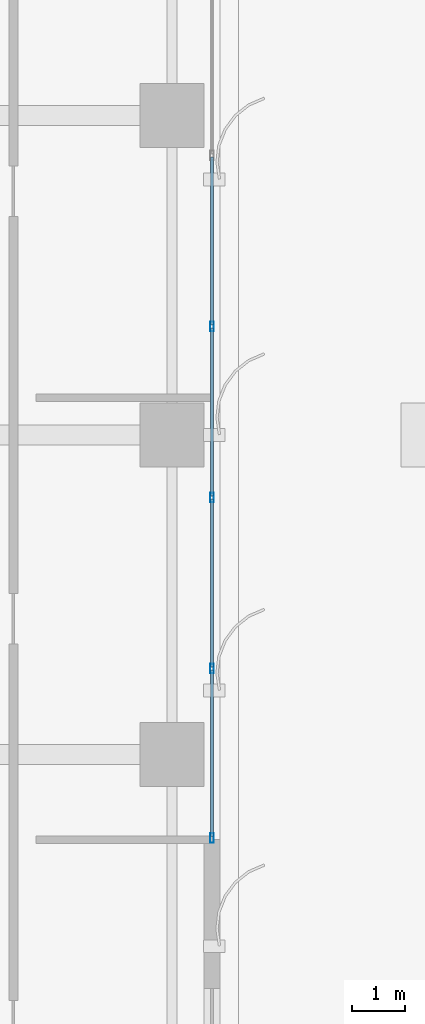
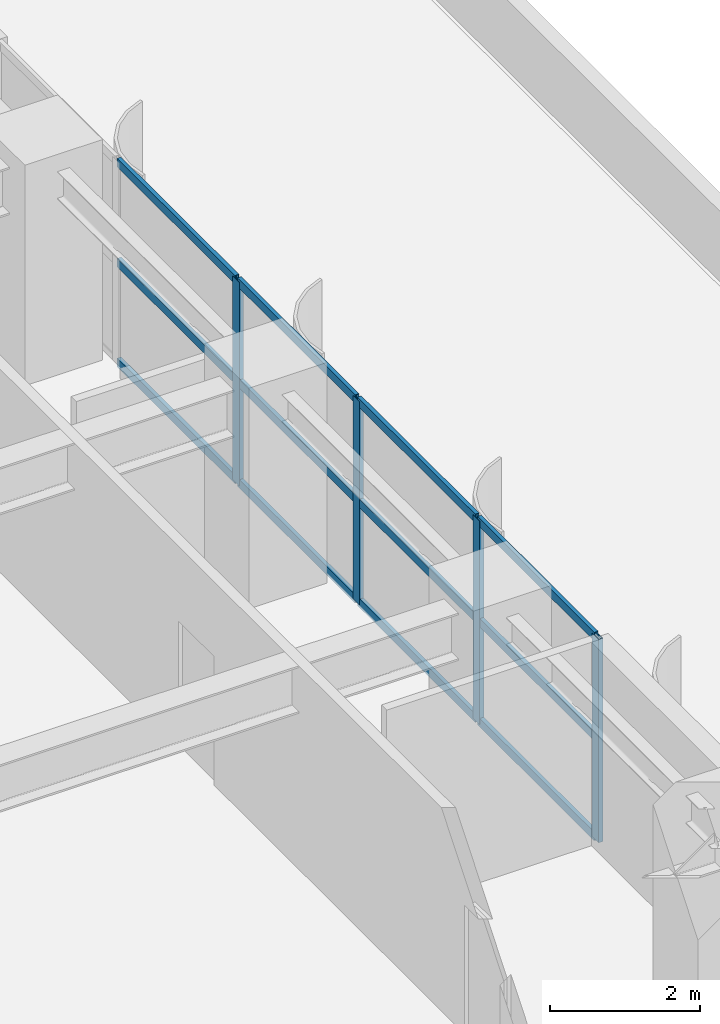
# One storey, part 4 of 21: 16 members, 1 element without a shape of its own.
"""IFC4 building model written with IfcOpenShell, lengths in metres."""

from ifc_helpers import new_model, si_unit, direction, frame, origin, origin_2d, place, context, subcontext, project, spatial, hollow_rectangle, extrude, source, transform, mapped, material, layer, layer_set, material_profile, profile_set, type_object, element, aggregate, save


model = new_model("IFC4")

# Units and contexts
model_context = context("Model", 3, precision=1e-05, world=origin(), true_north=direction((0.0, 1.0)))
body_context = subcontext(model_context, "Body", "Model", "MODEL_VIEW")
ifc_project = project(units=[si_unit("LENGTHUNIT", "METRE"), si_unit("AREAUNIT", "SQUARE_METRE"), si_unit("VOLUMEUNIT", "CUBIC_METRE"), si_unit("PLANEANGLEUNIT", "RADIAN"), si_unit("MASSUNIT", "GRAM", prefix="KILO")], contexts=[model_context])

# Site, building, storey
site_placement = place(None, origin())
site = spatial("IfcSite", under=ifc_project, at=site_placement, CompositionType="ELEMENT")
building_placement = place(site_placement, origin())
building = spatial("IfcBuilding", under=site, at=building_placement, Name="Khoralis Quay Care Tower", CompositionType="ELEMENT")
storey_placement = place(building_placement, frame((0.0, 0.0, 22.5)))
storey = spatial("IfcBuildingStorey", under=building, at=storey_placement, Name="L05", CompositionType="ELEMENT", Elevation=22.5)

# Curtain wall, members
ifc_material = material(Name="Pale anodised aluminium", Category="aluminium")
ifc_layer = layer(ifc_material, 0.179931640625)
ifc_layer_set = layer_set([ifc_layer], Name="Pale anodised aluminium")
curtain_wall_type = type_object("IfcCurtainWallType", Name="CW-SYS-Z1", PredefinedType="NOTDEFINED", material=ifc_layer_set)
curtain_wall_placement = place(storey_placement, origin())
curtain_wall = element("IfcCurtainWall", 1, at=curtain_wall_placement, inside=storey, type_object=curtain_wall_type, Name="L05 Unitised Curtain Wall CW-L05-P1-E5", PredefinedType="NOTDEFINED")
ifc_material_profile_1 = material_profile(ifc_material, hollow_rectangle(XDim=0.06494140625, YDim=0.179931640625, WallThickness=0.00390625, at=origin_2d()), Name="Pale anodised aluminium")
ifc_profile_set_1 = profile_set([ifc_material_profile_1], Name="Pale anodised aluminium")
member_type_1 = type_object("IfcMemberType", Name="CW-MUL-180", PredefinedType="MULLION", material=ifc_profile_set_1)
shared_shape_1 = source(origin(), body_context, "Body", "SweptSolid", [
    extrude(hollow_rectangle(XDim=0.06494140625, YDim=0.179931640625, WallThickness=0.00390625, at=origin_2d()), origin(), (0.0, 0.0, 1.0), 3.320068359375),
])
member_1_placement = place(storey_placement, frame((47.85009765625, 16.429931640625, 0.0), z_axis=(0.0, 0.0, 1.0), x_axis=(-1.0, 0.0, 0.0)))
member_1 = element("IfcMember", 2, at=member_1_placement, type_object=member_type_1, Name="CW1 mullion 1", PredefinedType="MULLION", context=body_context, shape_type="MappedRepresentation", body=[
    mapped(shared_shape_1, transform((0.0, 0.0, 0.0), scale=1.0)),
])
member_2_placement = place(storey_placement, frame((47.85009765625, 19.612060546875, 0.0), z_axis=(0.0, 0.0, 1.0), x_axis=(-1.0, 0.0, 0.0)))
member_2 = element("IfcMember", 3, at=member_2_placement, type_object=member_type_1, Name="CW1 mullion 2", PredefinedType="MULLION", context=body_context, shape_type="MappedRepresentation", body=[
    mapped(shared_shape_1, transform((0.0, 0.0, 0.0), scale=1.0)),
])
member_3_placement = place(storey_placement, frame((47.85009765625, 22.823974609375, 0.0), z_axis=(0.0, 0.0, 1.0), x_axis=(-1.0, 0.0, 0.0)))
member_3 = element("IfcMember", 4, at=member_3_placement, type_object=member_type_1, Name="CW1 mullion 3", PredefinedType="MULLION", context=body_context, shape_type="MappedRepresentation", body=[
    mapped(shared_shape_1, transform((0.0, 0.0, 0.0), scale=1.0)),
])
member_4_placement = place(storey_placement, frame((47.85009765625, 26.035888671875, 0.0), z_axis=(0.0, 0.0, 1.0), x_axis=(-1.0, 0.0, 0.0)))
member_4 = element("IfcMember", 5, at=member_4_placement, type_object=member_type_1, Name="CW1 mullion 4", PredefinedType="MULLION", context=body_context, shape_type="MappedRepresentation", body=[
    mapped(shared_shape_1, transform((0.0, 0.0, 0.0), scale=1.0)),
])
ifc_material_profile_2 = material_profile(ifc_material, hollow_rectangle(XDim=0.06005859375, YDim=0.139892578125, WallThickness=0.00390625, at=origin_2d()), Name="Pale anodised aluminium")
ifc_profile_set_2 = profile_set([ifc_material_profile_2], Name="Pale anodised aluminium")
member_type_2 = type_object("IfcMemberType", Name="CW-TRN-140", PredefinedType="USERDEFINED", material=ifc_profile_set_2)
shared_shape_2 = source(origin(), body_context, "Body", "SweptSolid", [
    extrude(hollow_rectangle(XDim=0.06005859375, YDim=0.139892578125, WallThickness=0.00390625, at=origin_2d()), origin(), (0.0, 0.0, 1.0), 3.1220703125),
])
member_5_placement = place(storey_placement, frame((47.85009765625, 16.4599609375, 0.030029296875), z_axis=(0.0, 1.0, 0.0), x_axis=(-1.0, 0.0, 0.0)))
member_5 = element("IfcMember", 6, at=member_5_placement, type_object=member_type_2, Name="CW1 transom 1.1", ObjectType="TRANSOM", PredefinedType="USERDEFINED", context=body_context, shape_type="MappedRepresentation", body=[
    mapped(shared_shape_2, transform((0.0, 0.0, 0.0), scale=1.0)),
])
member_6_placement = place(storey_placement, frame((47.85009765625, 16.4599609375, 1.659912109375), z_axis=(0.0, 1.0, 0.0), x_axis=(-1.0, 0.0, 0.0)))
member_6 = element("IfcMember", 7, at=member_6_placement, type_object=member_type_2, Name="CW1 transom 1.2", ObjectType="TRANSOM", PredefinedType="USERDEFINED", context=body_context, shape_type="MappedRepresentation", body=[
    mapped(shared_shape_2, transform((0.0, 0.0, 0.0), scale=1.0)),
])
member_7_placement = place(storey_placement, frame((47.85009765625, 16.4599609375, 3.2900390625), z_axis=(0.0, 1.0, 0.0), x_axis=(-1.0, 0.0, 0.0)))
member_7 = element("IfcMember", 8, at=member_7_placement, type_object=member_type_2, Name="CW1 transom 1.3", ObjectType="TRANSOM", PredefinedType="USERDEFINED", context=body_context, shape_type="MappedRepresentation", body=[
    mapped(shared_shape_2, transform((0.0, 0.0, 0.0), scale=1.0)),
])
shared_shape_3 = source(origin(), body_context, "Body", "SweptSolid", [
    extrude(hollow_rectangle(XDim=0.06005859375, YDim=0.139892578125, WallThickness=0.00390625, at=origin_2d()), origin(), (0.0, 0.0, 1.0), 3.15185546875),
])
member_8_placement = place(storey_placement, frame((47.85009765625, 19.64208984375, 0.030029296875), z_axis=(0.0, 1.0, 0.0), x_axis=(-1.0, 0.0, 0.0)))
member_8 = element("IfcMember", 9, at=member_8_placement, type_object=member_type_2, Name="CW1 transom 2.1", ObjectType="TRANSOM", PredefinedType="USERDEFINED", context=body_context, shape_type="MappedRepresentation", body=[
    mapped(shared_shape_3, transform((0.0, 0.0, 0.0), scale=1.0)),
])
member_9_placement = place(storey_placement, frame((47.85009765625, 19.64208984375, 1.659912109375), z_axis=(0.0, 1.0, 0.0), x_axis=(-1.0, 0.0, 0.0)))
member_9 = element("IfcMember", 10, at=member_9_placement, type_object=member_type_2, Name="CW1 transom 2.2", ObjectType="TRANSOM", PredefinedType="USERDEFINED", context=body_context, shape_type="MappedRepresentation", body=[
    mapped(shared_shape_3, transform((0.0, 0.0, 0.0), scale=1.0)),
])
member_10_placement = place(storey_placement, frame((47.85009765625, 19.64208984375, 3.2900390625), z_axis=(0.0, 1.0, 0.0), x_axis=(-1.0, 0.0, 0.0)))
member_10 = element("IfcMember", 11, at=member_10_placement, type_object=member_type_2, Name="CW1 transom 2.3", ObjectType="TRANSOM", PredefinedType="USERDEFINED", context=body_context, shape_type="MappedRepresentation", body=[
    mapped(shared_shape_3, transform((0.0, 0.0, 0.0), scale=1.0)),
])
shared_shape_4 = source(origin(), body_context, "Body", "SweptSolid", [
    extrude(hollow_rectangle(XDim=0.06005859375, YDim=0.139892578125, WallThickness=0.00390625, at=origin_2d()), origin(), (0.0, 0.0, 1.0), 3.152099609375),
])
member_11_placement = place(storey_placement, frame((47.85009765625, 22.85400390625, 0.030029296875), z_axis=(0.0, 1.0, 0.0), x_axis=(-1.0, 0.0, 0.0)))
member_11 = element("IfcMember", 12, at=member_11_placement, type_object=member_type_2, Name="CW1 transom 3.1", ObjectType="TRANSOM", PredefinedType="USERDEFINED", context=body_context, shape_type="MappedRepresentation", body=[
    mapped(shared_shape_4, transform((0.0, 0.0, 0.0), scale=1.0)),
])
member_12_placement = place(storey_placement, frame((47.85009765625, 22.85400390625, 1.659912109375), z_axis=(0.0, 1.0, 0.0), x_axis=(-1.0, 0.0, 0.0)))
member_12 = element("IfcMember", 13, at=member_12_placement, type_object=member_type_2, Name="CW1 transom 3.2", ObjectType="TRANSOM", PredefinedType="USERDEFINED", context=body_context, shape_type="MappedRepresentation", body=[
    mapped(shared_shape_4, transform((0.0, 0.0, 0.0), scale=1.0)),
])
member_13_placement = place(storey_placement, frame((47.85009765625, 22.85400390625, 3.2900390625), z_axis=(0.0, 1.0, 0.0), x_axis=(-1.0, 0.0, 0.0)))
member_13 = element("IfcMember", 14, at=member_13_placement, type_object=member_type_2, Name="CW1 transom 3.3", ObjectType="TRANSOM", PredefinedType="USERDEFINED", context=body_context, shape_type="MappedRepresentation", body=[
    mapped(shared_shape_4, transform((0.0, 0.0, 0.0), scale=1.0)),
])
member_14_placement = place(storey_placement, frame((47.85009765625, 26.06591796875, 0.030029296875), z_axis=(0.0, 1.0, 0.0), x_axis=(-1.0, 0.0, 0.0)))
member_14 = element("IfcMember", 15, at=member_14_placement, type_object=member_type_2, Name="CW1 transom 4.1", ObjectType="TRANSOM", PredefinedType="USERDEFINED", context=body_context, shape_type="MappedRepresentation", body=[
    mapped(shared_shape_4, transform((0.0, 0.0, 0.0), scale=1.0)),
])
member_15_placement = place(storey_placement, frame((47.85009765625, 26.06591796875, 1.659912109375), z_axis=(0.0, 1.0, 0.0), x_axis=(-1.0, 0.0, 0.0)))
member_15 = element("IfcMember", 16, at=member_15_placement, type_object=member_type_2, Name="CW1 transom 4.2", ObjectType="TRANSOM", PredefinedType="USERDEFINED", context=body_context, shape_type="MappedRepresentation", body=[
    mapped(shared_shape_4, transform((0.0, 0.0, 0.0), scale=1.0)),
])
member_16_placement = place(storey_placement, frame((47.85009765625, 26.06591796875, 3.2900390625), z_axis=(0.0, 1.0, 0.0), x_axis=(-1.0, 0.0, 0.0)))
member_16 = element("IfcMember", 17, at=member_16_placement, type_object=member_type_2, Name="CW1 transom 4.3", ObjectType="TRANSOM", PredefinedType="USERDEFINED", context=body_context, shape_type="MappedRepresentation", body=[
    mapped(shared_shape_4, transform((0.0, 0.0, 0.0), scale=1.0)),
])
aggregate(curtain_wall, [member_1, member_2, member_3, member_4, member_5, member_6, member_7, member_8, member_9, member_10, member_11, member_12, member_13, member_14, member_15, member_16])

save(model, "model.ifc")
